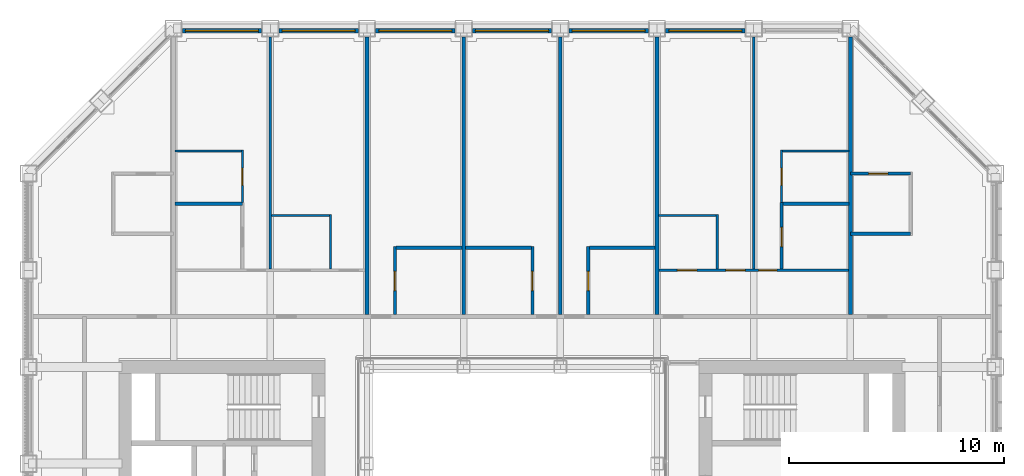
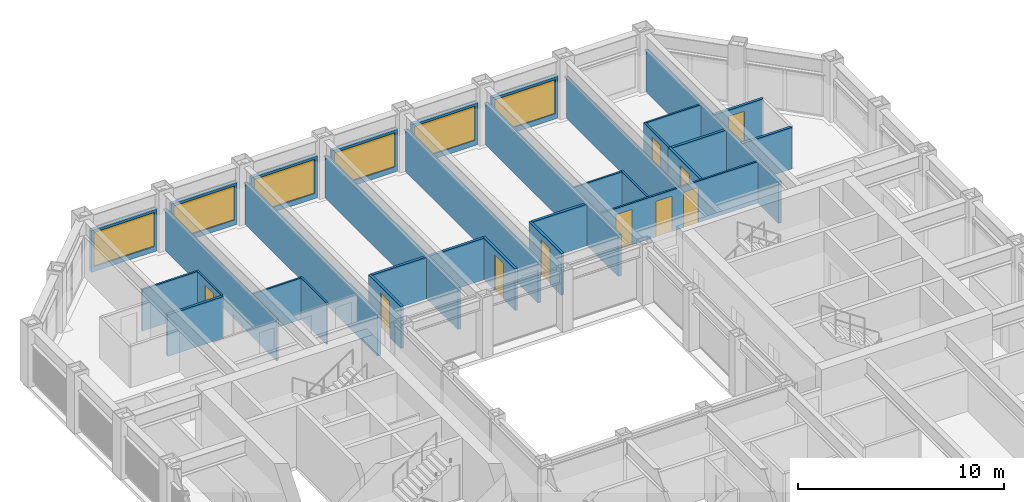
# One storey, part 14 of 18: 33 walls, 10 doors, 6 windows, 16 openings.
"""IFC4 building model written with IfcOpenShell, lengths in metres."""

from ifc_helpers import new_model, si_unit, direction, frame, frame_2d, origin, place, context, subcontext, project, spatial, rectangle, extrude, material, layer, layer_set, type_object, element, fill, save


model = new_model("IFC4")

# Units and contexts
model_context = context("Model", 3, precision=1e-05, world=origin(), true_north=direction((0.0, 1.0)))
body_context = subcontext(model_context, "Body", "Model", "MODEL_VIEW")
ifc_project = project(units=[si_unit("LENGTHUNIT", "METRE"), si_unit("AREAUNIT", "SQUARE_METRE"), si_unit("VOLUMEUNIT", "CUBIC_METRE"), si_unit("PLANEANGLEUNIT", "RADIAN"), si_unit("MASSUNIT", "GRAM", prefix="KILO")], contexts=[model_context])

# Site, building, storey
site_placement = place(None, origin())
site = spatial("IfcSite", under=ifc_project, at=site_placement, CompositionType="ELEMENT")
building_placement = place(site_placement, origin())
building = spatial("IfcBuilding", under=site, at=building_placement, Name="Msasa Ring Tower", CompositionType="ELEMENT")
storey_placement = place(building_placement, frame((0.0, 0.0, 183.199951171875)))
storey = spatial("IfcBuildingStorey", under=building, at=storey_placement, Name="L48", CompositionType="ELEMENT", Elevation=183.199951171875)

# Wall, opening, window
ifc_material_1 = material(Name="Terracotta rainscreen on blockwork", Category="masonry")
ifc_layer_1 = layer(ifc_material_1, 0.199951171875)
ifc_layer_set_1 = layer_set([ifc_layer_1], Name="FW1 TERRACOTTA-LINED INFILL BAY WALL 200")
wall_type_1 = type_object("IfcWallType", Name="FW1 TERRACOTTA-LINED INFILL BAY WALL 200", PredefinedType="SOLIDWALL", material=ifc_layer_set_1)
wall_1_placement = place(storey_placement, frame((-15.344970703125, 22.39990234375, 0.0), z_axis=(0.0, 0.0, 1.0), x_axis=(1.0, 0.0, 0.0)))
wall_1 = element("IfcWall", 1, at=wall_1_placement, inside=storey, type_object=wall_type_1, Name="Infill bay wall N L48 18", PredefinedType="SOLIDWALL", context=body_context, shape_type="SweptSolid", body=[
    extrude(rectangle(XDim=3.68994140625, YDim=0.199951171875, at=frame_2d((1.844970703125, 0.0))), origin(), (0.0, 0.0, 1.0), 2.47900390625),
])
opening_1_placement = place(wall_1_placement, frame((0.14501953125, 0.0, 0.300048828125)))
opening_1 = element("IfcOpeningElement", 2, at=opening_1_placement, cuts=wall_1, Name="Opening WN2", PredefinedType="OPENING", context=body_context, shape_type="SweptSolid", body=[
    extrude(rectangle(XDim=3.39990234375, YDim=2.029052734375, at=frame_2d((1.699951171875, 1.0146484375))), frame((0.0, 0.10986328125, 0.0), z_axis=(0.0, -1.0, 0.0), x_axis=(1.0, 0.0, 0.0)), (0.0, 0.0, 1.0), 0.219970703125),
])
ifc_material_2 = material(Name="Aluminium frame with clear glass", Category="aluminium")
window_type = type_object("IfcWindowType", Name="WN2 GUEST ROOM WINDOW 3400x2029", PartitioningType="SINGLE_PANEL", PredefinedType="WINDOW", material=ifc_material_2)
window_1_placement = place(opening_1_placement, origin())
window_1 = element("IfcWindow", 3, at=window_1_placement, inside=storey, type_object=window_type, Name="Window N L48 18", OverallHeight=2.029052734375, OverallWidth=3.39990234375, PartitioningType="SINGLE_PANEL", PredefinedType="WINDOW", context=body_context, shape_type="SweptSolid", body=[
    extrude(rectangle(XDim=3.39990234375, YDim=2.029052734375, at=frame_2d((1.699951171875, 1.0146484375))), frame((0.0, 0.030029296875, 0.0), z_axis=(0.0, -1.0, 0.0), x_axis=(1.0, 0.0, 0.0)), (0.0, 0.0, 1.0), 0.06005859375),
])
fill(opening_1, window_1)

wall_2_placement = place(storey_placement, frame((-10.844970703125, 22.39990234375, 0.0), z_axis=(0.0, 0.0, 1.0), x_axis=(1.0, 0.0, 0.0)))
wall_2 = element("IfcWall", 4, at=wall_2_placement, inside=storey, type_object=wall_type_1, Name="Infill bay wall N L48 19", PredefinedType="SOLIDWALL", context=body_context, shape_type="SweptSolid", body=[
    extrude(rectangle(XDim=3.68994140625, YDim=0.199951171875, at=frame_2d((1.844970703125, 0.0))), origin(), (0.0, 0.0, 1.0), 2.47900390625),
])
opening_2_placement = place(wall_2_placement, frame((0.14501953125, 0.0, 0.300048828125)))
opening_2 = element("IfcOpeningElement", 5, at=opening_2_placement, cuts=wall_2, Name="Opening WN2", PredefinedType="OPENING", context=body_context, shape_type="SweptSolid", body=[
    extrude(rectangle(XDim=3.39990234375, YDim=2.029052734375, at=frame_2d((1.699951171875, 1.0146484375))), frame((0.0, 0.10986328125, 0.0), z_axis=(0.0, -1.0, 0.0), x_axis=(1.0, 0.0, 0.0)), (0.0, 0.0, 1.0), 0.219970703125),
])
window_2_placement = place(opening_2_placement, origin())
window_2 = element("IfcWindow", 6, at=window_2_placement, inside=storey, type_object=window_type, Name="Window N L48 19", OverallHeight=2.029052734375, OverallWidth=3.39990234375, PartitioningType="SINGLE_PANEL", PredefinedType="WINDOW", context=body_context, shape_type="SweptSolid", body=[
    extrude(rectangle(XDim=3.39990234375, YDim=2.029052734375, at=frame_2d((1.699951171875, 1.0146484375))), frame((0.0, 0.030029296875, 0.0), z_axis=(0.0, -1.0, 0.0), x_axis=(1.0, 0.0, 0.0)), (0.0, 0.0, 1.0), 0.06005859375),
])
fill(opening_2, window_2)

wall_3_placement = place(storey_placement, frame((-6.344970703125, 22.39990234375, 0.0), z_axis=(0.0, 0.0, 1.0), x_axis=(1.0, 0.0, 0.0)))
wall_3 = element("IfcWall", 7, at=wall_3_placement, inside=storey, type_object=wall_type_1, Name="Infill bay wall N L48 20", PredefinedType="SOLIDWALL", context=body_context, shape_type="SweptSolid", body=[
    extrude(rectangle(XDim=3.68994140625, YDim=0.199951171875, at=frame_2d((1.844970703125, 0.0))), origin(), (0.0, 0.0, 1.0), 2.47900390625),
])
opening_3_placement = place(wall_3_placement, frame((0.14501953125, 0.0, 0.300048828125)))
opening_3 = element("IfcOpeningElement", 8, at=opening_3_placement, cuts=wall_3, Name="Opening WN2", PredefinedType="OPENING", context=body_context, shape_type="SweptSolid", body=[
    extrude(rectangle(XDim=3.39990234375, YDim=2.029052734375, at=frame_2d((1.699951171875, 1.0146484375))), frame((0.0, 0.10986328125, 0.0), z_axis=(0.0, -1.0, 0.0), x_axis=(1.0, 0.0, 0.0)), (0.0, 0.0, 1.0), 0.219970703125),
])
window_3_placement = place(opening_3_placement, origin())
window_3 = element("IfcWindow", 9, at=window_3_placement, inside=storey, type_object=window_type, Name="Window N L48 20", OverallHeight=2.029052734375, OverallWidth=3.39990234375, PartitioningType="SINGLE_PANEL", PredefinedType="WINDOW", context=body_context, shape_type="SweptSolid", body=[
    extrude(rectangle(XDim=3.39990234375, YDim=2.029052734375, at=frame_2d((1.699951171875, 1.0146484375))), frame((0.0, 0.030029296875, 0.0), z_axis=(0.0, -1.0, 0.0), x_axis=(1.0, 0.0, 0.0)), (0.0, 0.0, 1.0), 0.06005859375),
])
fill(opening_3, window_3)

wall_4_placement = place(storey_placement, frame((-1.844970703125, 22.39990234375, 0.0), z_axis=(0.0, 0.0, 1.0), x_axis=(1.0, 0.0, 0.0)))
wall_4 = element("IfcWall", 10, at=wall_4_placement, inside=storey, type_object=wall_type_1, Name="Infill bay wall N L48 21", PredefinedType="SOLIDWALL", context=body_context, shape_type="SweptSolid", body=[
    extrude(rectangle(XDim=3.68994140625, YDim=0.199951171875, at=frame_2d((1.844970703125, 0.0))), origin(), (0.0, 0.0, 1.0), 2.47900390625),
])
opening_4_placement = place(wall_4_placement, frame((0.14501953125, 0.0, 0.300048828125)))
opening_4 = element("IfcOpeningElement", 11, at=opening_4_placement, cuts=wall_4, Name="Opening WN2", PredefinedType="OPENING", context=body_context, shape_type="SweptSolid", body=[
    extrude(rectangle(XDim=3.39990234375, YDim=2.029052734375, at=frame_2d((1.699951171875, 1.0146484375))), frame((0.0, 0.10986328125, 0.0), z_axis=(0.0, -1.0, 0.0), x_axis=(1.0, 0.0, 0.0)), (0.0, 0.0, 1.0), 0.219970703125),
])
window_4_placement = place(opening_4_placement, origin())
window_4 = element("IfcWindow", 12, at=window_4_placement, inside=storey, type_object=window_type, Name="Window N L48 21", OverallHeight=2.029052734375, OverallWidth=3.39990234375, PartitioningType="SINGLE_PANEL", PredefinedType="WINDOW", context=body_context, shape_type="SweptSolid", body=[
    extrude(rectangle(XDim=3.39990234375, YDim=2.029052734375, at=frame_2d((1.699951171875, 1.0146484375))), frame((0.0, 0.030029296875, 0.0), z_axis=(0.0, -1.0, 0.0), x_axis=(1.0, 0.0, 0.0)), (0.0, 0.0, 1.0), 0.06005859375),
])
fill(opening_4, window_4)

wall_5_placement = place(storey_placement, frame((2.655029296875, 22.39990234375, 0.0), z_axis=(0.0, 0.0, 1.0), x_axis=(1.0, 0.0, 0.0)))
wall_5 = element("IfcWall", 13, at=wall_5_placement, inside=storey, type_object=wall_type_1, Name="Infill bay wall N L48 22", PredefinedType="SOLIDWALL", context=body_context, shape_type="SweptSolid", body=[
    extrude(rectangle(XDim=3.68994140625, YDim=0.199951171875, at=frame_2d((1.844970703125, 0.0))), origin(), (0.0, 0.0, 1.0), 2.47900390625),
])
opening_5_placement = place(wall_5_placement, frame((0.14501953125, 0.0, 0.300048828125)))
opening_5 = element("IfcOpeningElement", 14, at=opening_5_placement, cuts=wall_5, Name="Opening WN2", PredefinedType="OPENING", context=body_context, shape_type="SweptSolid", body=[
    extrude(rectangle(XDim=3.39990234375, YDim=2.029052734375, at=frame_2d((1.699951171875, 1.0146484375))), frame((0.0, 0.10986328125, 0.0), z_axis=(0.0, -1.0, 0.0), x_axis=(1.0, 0.0, 0.0)), (0.0, 0.0, 1.0), 0.219970703125),
])
window_5_placement = place(opening_5_placement, origin())
window_5 = element("IfcWindow", 15, at=window_5_placement, inside=storey, type_object=window_type, Name="Window N L48 22", OverallHeight=2.029052734375, OverallWidth=3.39990234375, PartitioningType="SINGLE_PANEL", PredefinedType="WINDOW", context=body_context, shape_type="SweptSolid", body=[
    extrude(rectangle(XDim=3.39990234375, YDim=2.029052734375, at=frame_2d((1.699951171875, 1.0146484375))), frame((0.0, 0.030029296875, 0.0), z_axis=(0.0, -1.0, 0.0), x_axis=(1.0, 0.0, 0.0)), (0.0, 0.0, 1.0), 0.06005859375),
])
fill(opening_5, window_5)

wall_6_placement = place(storey_placement, frame((7.155029296875, 22.39990234375, 0.0), z_axis=(0.0, 0.0, 1.0), x_axis=(1.0, 0.0, 0.0)))
wall_6 = element("IfcWall", 16, at=wall_6_placement, inside=storey, type_object=wall_type_1, Name="Infill bay wall N L48 23", PredefinedType="SOLIDWALL", context=body_context, shape_type="SweptSolid", body=[
    extrude(rectangle(XDim=3.68994140625, YDim=0.199951171875, at=frame_2d((1.844970703125, 0.0))), origin(), (0.0, 0.0, 1.0), 2.47900390625),
])
opening_6_placement = place(wall_6_placement, frame((0.14501953125, 0.0, 0.300048828125)))
opening_6 = element("IfcOpeningElement", 17, at=opening_6_placement, cuts=wall_6, Name="Opening WN2", PredefinedType="OPENING", context=body_context, shape_type="SweptSolid", body=[
    extrude(rectangle(XDim=3.39990234375, YDim=2.029052734375, at=frame_2d((1.699951171875, 1.0146484375))), frame((0.0, 0.10986328125, 0.0), z_axis=(0.0, -1.0, 0.0), x_axis=(1.0, 0.0, 0.0)), (0.0, 0.0, 1.0), 0.219970703125),
])
window_6_placement = place(opening_6_placement, origin())
window_6 = element("IfcWindow", 18, at=window_6_placement, inside=storey, type_object=window_type, Name="Window N L48 23", OverallHeight=2.029052734375, OverallWidth=3.39990234375, PartitioningType="SINGLE_PANEL", PredefinedType="WINDOW", context=body_context, shape_type="SweptSolid", body=[
    extrude(rectangle(XDim=3.39990234375, YDim=2.029052734375, at=frame_2d((1.699951171875, 1.0146484375))), frame((0.0, 0.030029296875, 0.0), z_axis=(0.0, -1.0, 0.0), x_axis=(1.0, 0.0, 0.0)), (0.0, 0.0, 1.0), 0.06005859375),
])
fill(opening_6, window_6)

# Walls
ifc_material_3 = material(Name="Gypsum board on steel studs", Category="steel")
ifc_layer_2 = layer(ifc_material_3, 0.10009765625)
ifc_layer_set_2 = layer_set([ifc_layer_2], Name="PT2 STUD PARTITION 100")
wall_type_2 = type_object("IfcWallType", Name="PT2 STUD PARTITION 100", PredefinedType="PARTITIONING", material=ifc_layer_set_2)
wall_7_placement = place(storey_placement, frame((-8.449951171875, 11.300048828125, 0.0), z_axis=(0.0, 0.0, 1.0), x_axis=(0.0, 1.0, 0.0)))
element("IfcWall", 19, at=wall_7_placement, inside=storey, type_object=wall_type_2, Name="Partition L48-GN00KX", PredefinedType="PARTITIONING", context=body_context, shape_type="SweptSolid", body=[
    extrude(rectangle(XDim=2.550048828125, YDim=0.10009765625, at=frame_2d((1.27490234375, 0.0))), origin(), (0.0, 0.0, 1.0), 2.473388671875),
])
wall_8_placement = place(storey_placement, frame((-11.199951171875, 13.800048828125, 0.0), z_axis=(0.0, 0.0, 1.0), x_axis=(1.0, 0.0, 0.0)))
element("IfcWall", 20, at=wall_8_placement, inside=storey, type_object=wall_type_2, Name="Partition L48-GN00KY", PredefinedType="PARTITIONING", context=body_context, shape_type="SweptSolid", body=[
    extrude(rectangle(XDim=2.75, YDim=0.10009765625, at=frame_2d((1.375, 0.0))), origin(), (0.0, 0.0, 1.0), 2.473388671875),
])
wall_9_placement = place(storey_placement, frame((-11.25, 11.300048828125, 0.0), z_axis=(0.0, 0.0, 1.0), x_axis=(0.0, 1.0, 0.0)))
element("IfcWall", 21, at=wall_9_placement, inside=storey, type_object=wall_type_2, Name="Partition L48-GN00P1", PredefinedType="PARTITIONING", context=body_context, shape_type="SweptSolid", body=[
    extrude(rectangle(XDim=10.800048828125, YDim=0.10009765625, at=frame_2d((5.39990234375, 0.0))), origin(), (0.0, 0.0, 1.0), 2.473388671875),
])

# Wall, opening, door
wall_10_placement = place(storey_placement, frame((-12.550048828125, 14.39990234375, 0.0), z_axis=(0.0, 0.0, 1.0), x_axis=(0.0, 1.0, 0.0)))
wall_10 = element("IfcWall", 22, at=wall_10_placement, inside=storey, type_object=wall_type_2, Name="Partition L48-GN00WX1", PredefinedType="PARTITIONING", context=body_context, shape_type="SweptSolid", body=[
    extrude(rectangle(XDim=2.4501953125, YDim=0.10009765625, at=frame_2d((1.22509765625, 0.0))), origin(), (0.0, 0.0, 1.0), 2.473388671875),
])
opening_7_placement = place(wall_10_placement, frame((0.800048828125, 0.0, 0.0)))
opening_7 = element("IfcOpeningElement", 23, at=opening_7_placement, cuts=wall_10, Name="Opening HG-003", PredefinedType="OPENING", context=body_context, shape_type="SweptSolid", body=[
    extrude(rectangle(XDim=0.800048828125, YDim=2.10009765625, at=frame_2d((0.39990234375, 1.050048828125))), frame((0.0, 0.06005859375, 0.0), z_axis=(0.0, -1.0, 0.0), x_axis=(1.0, 0.0, 0.0)), (0.0, 0.0, 1.0), 0.1201171875),
])
ifc_material_4 = material(Name="Timber door leaf in a steel frame", Category="steel")
door_type_1 = type_object("IfcDoorType", Name="D60 DRESSING ROOM DOOR 800x2100", OperationType="SINGLE_SWING_LEFT", PredefinedType="DOOR", material=ifc_material_4)
door_1_placement = place(opening_7_placement, origin())
door_1 = element("IfcDoor", 24, at=door_1_placement, inside=storey, type_object=door_type_1, Name="Door L48-GN00W1", OperationType="SINGLE_SWING_LEFT", OverallHeight=2.10009765625, OverallWidth=0.800048828125, PredefinedType="DOOR", context=body_context, shape_type="SweptSolid", body=[
    extrude(rectangle(XDim=0.800048828125, YDim=2.10009765625, at=frame_2d((0.39990234375, 1.050048828125))), frame((0.0, 0.02490234375, 0.0), z_axis=(0.0, -1.0, 0.0), x_axis=(1.0, 0.0, 0.0)), (0.0, 0.0, 1.0), 0.050048828125),
])
fill(opening_7, door_1)

# Wall
wall_11_placement = place(storey_placement, frame((-15.68994140625, 16.800048828125, 0.0), z_axis=(0.0, 0.0, 1.0), x_axis=(1.0, 0.0, 0.0)))
element("IfcWall", 25, at=wall_11_placement, inside=storey, type_object=wall_type_2, Name="Partition L48-GN00WY1", PredefinedType="PARTITIONING", context=body_context, shape_type="SweptSolid", body=[
    extrude(rectangle(XDim=3.139892578125, YDim=0.10009765625, at=frame_2d((1.56982421875, 0.0))), origin(), (0.0, 0.0, 1.0), 2.473388671875),
])

# Wall, openings, doors
wall_12_placement = place(storey_placement, frame((6.83740234375, 11.25, 0.0), z_axis=(0.0, 0.0, 1.0), x_axis=(1.0, 0.0, 0.0)))
wall_12 = element("IfcWall", 26, at=wall_12_placement, inside=storey, type_object=wall_type_2, Name="Partition L48-GN04HY", PredefinedType="PARTITIONING", context=body_context, shape_type="SweptSolid", body=[
    extrude(rectangle(XDim=8.8251953125, YDim=0.10009765625, at=frame_2d((4.41259765625, 0.0))), origin(), (0.0, 0.0, 1.0), 2.473388671875),
])
opening_8_placement = place(wall_12_placement, frame((0.862548828125, 0.0, 0.0)))
opening_8 = element("IfcOpeningElement", 27, at=opening_8_placement, cuts=wall_12, Name="Opening HG-010", PredefinedType="OPENING", context=body_context, shape_type="SweptSolid", body=[
    extrude(rectangle(XDim=0.89990234375, YDim=2.10009765625, at=frame_2d((0.449951171875, 1.050048828125))), frame((0.0, 0.06005859375, 0.0), z_axis=(0.0, -1.0, 0.0), x_axis=(1.0, 0.0, 0.0)), (0.0, 0.0, 1.0), 0.1201171875),
])
opening_9_placement = place(wall_12_placement, frame((3.112548828125, 0.0, 0.0)))
opening_9 = element("IfcOpeningElement", 28, at=opening_9_placement, cuts=wall_12, Name="Opening HG-011", PredefinedType="OPENING", context=body_context, shape_type="SweptSolid", body=[
    extrude(rectangle(XDim=0.89990234375, YDim=2.10009765625, at=frame_2d((0.449951171875, 1.050048828125))), frame((0.0, 0.06005859375, 0.0), z_axis=(0.0, -1.0, 0.0), x_axis=(1.0, 0.0, 0.0)), (0.0, 0.0, 1.0), 0.1201171875),
])
opening_10_placement = place(wall_12_placement, frame((4.637451171875, 0.0, 0.0)))
opening_10 = element("IfcOpeningElement", 29, at=opening_10_placement, cuts=wall_12, Name="Opening HG-012", PredefinedType="OPENING", context=body_context, shape_type="SweptSolid", body=[
    extrude(rectangle(XDim=0.85009765625, YDim=2.10009765625, at=frame_2d((0.425048828125, 1.050048828125))), frame((0.0, 0.06005859375, 0.0), z_axis=(0.0, -1.0, 0.0), x_axis=(1.0, 0.0, 0.0)), (0.0, 0.0, 1.0), 0.1201171875),
])
ifc_material_5 = material(Name="Timber door leaf in a steel frame", Category="steel")
door_type_2 = type_object("IfcDoorType", Name="D14 BEDROOM DOOR 850x2100", OperationType="SINGLE_SWING_LEFT", PredefinedType="DOOR", material=ifc_material_5)
door_2_placement = place(opening_10_placement, origin())
door_2 = element("IfcDoor", 30, at=door_2_placement, inside=storey, type_object=door_type_2, Name="Door L48-GN04R1", OperationType="SINGLE_SWING_RIGHT", OverallHeight=2.10009765625, OverallWidth=0.85009765625, PredefinedType="DOOR", context=body_context, shape_type="SweptSolid", body=[
    extrude(rectangle(XDim=0.85009765625, YDim=2.10009765625, at=frame_2d((0.425048828125, 1.050048828125))), frame((0.0, 0.02490234375, 0.0), z_axis=(0.0, -1.0, 0.0), x_axis=(1.0, 0.0, 0.0)), (0.0, 0.0, 1.0), 0.050048828125),
])
fill(opening_10, door_2)
ifc_material_6 = material(Name="Timber door leaf in a steel frame", Category="steel")
door_type_3 = type_object("IfcDoorType", Name="D22 INTERNAL HALL DOOR 900x2100", OperationType="SINGLE_SWING_LEFT", PredefinedType="DOOR", material=ifc_material_6)
door_3_placement = place(opening_8_placement, origin())
door_3 = element("IfcDoor", 31, at=door_3_placement, inside=storey, type_object=door_type_3, Name="Door L48-GN04K", OperationType="SINGLE_SWING_LEFT", OverallHeight=2.10009765625, OverallWidth=0.89990234375, PredefinedType="DOOR", context=body_context, shape_type="SweptSolid", body=[
    extrude(rectangle(XDim=0.89990234375, YDim=2.10009765625, at=frame_2d((0.449951171875, 1.050048828125))), frame((0.0, 0.02490234375, 0.0), z_axis=(0.0, -1.0, 0.0), x_axis=(1.0, 0.0, 0.0)), (0.0, 0.0, 1.0), 0.050048828125),
])
fill(opening_8, door_3)
door_4_placement = place(opening_9_placement, origin())
door_4 = element("IfcDoor", 32, at=door_4_placement, inside=storey, type_object=door_type_3, Name="Door L48-GN04L", OperationType="SINGLE_SWING_LEFT", OverallHeight=2.10009765625, OverallWidth=0.89990234375, PredefinedType="DOOR", context=body_context, shape_type="SweptSolid", body=[
    extrude(rectangle(XDim=0.89990234375, YDim=2.10009765625, at=frame_2d((0.449951171875, 1.050048828125))), frame((0.0, 0.02490234375, 0.0), z_axis=(0.0, -1.0, 0.0), x_axis=(1.0, 0.0, 0.0)), (0.0, 0.0, 1.0), 0.050048828125),
])
fill(opening_9, door_4)

# Walls
wall_13_placement = place(storey_placement, frame((9.550048828125, 11.300048828125, 0.0), z_axis=(0.0, 0.0, 1.0), x_axis=(0.0, 1.0, 0.0)))
element("IfcWall", 33, at=wall_13_placement, inside=storey, type_object=wall_type_2, Name="Partition L48-GN04KX", PredefinedType="PARTITIONING", context=body_context, shape_type="SweptSolid", body=[
    extrude(rectangle(XDim=2.550048828125, YDim=0.10009765625, at=frame_2d((1.27490234375, 0.0))), origin(), (0.0, 0.0, 1.0), 2.473388671875),
])
wall_14_placement = place(storey_placement, frame((6.81005859375, 13.800048828125, 0.0), z_axis=(0.0, 0.0, 1.0), x_axis=(1.0, 0.0, 0.0)))
element("IfcWall", 34, at=wall_14_placement, inside=storey, type_object=wall_type_2, Name="Partition L48-GN04KY", PredefinedType="PARTITIONING", context=body_context, shape_type="SweptSolid", body=[
    extrude(rectangle(XDim=2.739990234375, YDim=0.10009765625, at=frame_2d((1.3701171875, 0.0))), origin(), (0.0, 0.0, 1.0), 2.473388671875),
])
wall_15_placement = place(storey_placement, frame((11.25, 11.300048828125, 0.0), z_axis=(0.0, 0.0, 1.0), x_axis=(0.0, 1.0, 0.0)))
element("IfcWall", 35, at=wall_15_placement, inside=storey, type_object=wall_type_2, Name="Partition L48-GN04P1", PredefinedType="PARTITIONING", context=body_context, shape_type="SweptSolid", body=[
    extrude(rectangle(XDim=10.800048828125, YDim=0.10009765625, at=frame_2d((5.39990234375, 0.0))), origin(), (0.0, 0.0, 1.0), 2.473388671875),
])

# Wall, opening, door
wall_16_placement = place(storey_placement, frame((12.550048828125, 14.39990234375, 0.0), z_axis=(0.0, 0.0, 1.0), x_axis=(0.0, 1.0, 0.0)))
wall_16 = element("IfcWall", 36, at=wall_16_placement, inside=storey, type_object=wall_type_2, Name="Partition L48-GN04WX1", PredefinedType="PARTITIONING", context=body_context, shape_type="SweptSolid", body=[
    extrude(rectangle(XDim=2.4501953125, YDim=0.10009765625, at=frame_2d((1.22509765625, 0.0))), origin(), (0.0, 0.0, 1.0), 2.473388671875),
])
opening_11_placement = place(wall_16_placement, frame((0.800048828125, 0.0, 0.0)))
opening_11 = element("IfcOpeningElement", 37, at=opening_11_placement, cuts=wall_16, Name="Opening HG-004", PredefinedType="OPENING", context=body_context, shape_type="SweptSolid", body=[
    extrude(rectangle(XDim=0.800048828125, YDim=2.10009765625, at=frame_2d((0.39990234375, 1.050048828125))), frame((0.0, 0.06005859375, 0.0), z_axis=(0.0, -1.0, 0.0), x_axis=(1.0, 0.0, 0.0)), (0.0, 0.0, 1.0), 0.1201171875),
])
door_5_placement = place(opening_11_placement, origin())
door_5 = element("IfcDoor", 38, at=door_5_placement, inside=storey, type_object=door_type_1, Name="Door L48-GN04W1", OperationType="SINGLE_SWING_LEFT", OverallHeight=2.10009765625, OverallWidth=0.800048828125, PredefinedType="DOOR", context=body_context, shape_type="SweptSolid", body=[
    extrude(rectangle(XDim=0.800048828125, YDim=2.10009765625, at=frame_2d((0.39990234375, 1.050048828125))), frame((0.0, 0.02490234375, 0.0), z_axis=(0.0, -1.0, 0.0), x_axis=(1.0, 0.0, 0.0)), (0.0, 0.0, 1.0), 0.050048828125),
])
fill(opening_11, door_5)

# Walls
wall_17_placement = place(storey_placement, frame((12.550048828125, 16.800048828125, 0.0), z_axis=(0.0, 0.0, 1.0), x_axis=(1.0, 0.0, 0.0)))
element("IfcWall", 39, at=wall_17_placement, inside=storey, type_object=wall_type_2, Name="Partition L48-GN04WY1", PredefinedType="PARTITIONING", context=body_context, shape_type="SweptSolid", body=[
    extrude(rectangle(XDim=3.139892578125, YDim=0.10009765625, at=frame_2d((1.56982421875, 0.0))), origin(), (0.0, 0.0, 1.0), 2.473388671875),
])
ifc_material_7 = material(Name="Moisture-resistant board on steel studs with a concealed cistern and pipe void, tiled", Category="steel")
ifc_layer_3 = layer(ifc_material_7, 0.14990234375)
ifc_layer_set_3 = layer_set([ifc_layer_3], Name="PT4 BATHROOM WET WALL 150")
wall_type_3 = type_object("IfcWallType", Name="PT4 BATHROOM WET WALL 150", PredefinedType="PARTITIONING", material=ifc_layer_set_3)
wall_18_placement = place(storey_placement, frame((-15.68994140625, 14.35009765625, 0.0), z_axis=(0.0, 0.0, 1.0), x_axis=(1.0, 0.0, 0.0)))
element("IfcWall", 40, at=wall_18_placement, inside=storey, type_object=wall_type_3, Name="Partition L48-GN00BY1", PredefinedType="PARTITIONING", context=body_context, shape_type="SweptSolid", body=[
    extrude(rectangle(XDim=3.139892578125, YDim=0.14990234375, at=frame_2d((1.56982421875, 0.0))), origin(), (0.0, 0.0, 1.0), 2.473388671875),
])

# Wall, opening, door
wall_19_placement = place(storey_placement, frame((-5.449951171875, 9.199951171875, 0.0), z_axis=(0.0, 0.0, 1.0), x_axis=(0.0, 1.0, 0.0)))
wall_19 = element("IfcWall", 41, at=wall_19_placement, inside=storey, type_object=wall_type_3, Name="Partition L48-GN01BX", PredefinedType="PARTITIONING", context=body_context, shape_type="SweptSolid", body=[
    extrude(rectangle(XDim=3.150146484375, YDim=0.14990234375, at=frame_2d((1.5751953125, 0.0))), origin(), (0.0, 0.0, 1.0), 2.473388671875),
])
opening_12_placement = place(wall_19_placement, frame((1.10009765625, 0.0, 0.0)))
opening_12 = element("IfcOpeningElement", 42, at=opening_12_placement, cuts=wall_19, Name="Opening HG-013", PredefinedType="OPENING", context=body_context, shape_type="SweptSolid", body=[
    extrude(rectangle(XDim=0.89990234375, YDim=2.10009765625, at=frame_2d((0.449951171875, 1.050048828125))), frame((0.0, 0.0849609375, 0.0), z_axis=(0.0, -1.0, 0.0), x_axis=(1.0, 0.0, 0.0)), (0.0, 0.0, 1.0), 0.169921875),
])
ifc_material_8 = material(Name="Timber door leaf in a steel frame", Category="steel")
door_type_4 = type_object("IfcDoorType", Name="D3 BATHROOM DOOR 900x2100", OperationType="SINGLE_SWING_LEFT", PredefinedType="DOOR", material=ifc_material_8)
door_6_placement = place(opening_12_placement, origin())
door_6 = element("IfcDoor", 43, at=door_6_placement, inside=storey, type_object=door_type_4, Name="Door L48-GN01B", OperationType="SINGLE_SWING_LEFT", OverallHeight=2.10009765625, OverallWidth=0.89990234375, PredefinedType="DOOR", context=body_context, shape_type="SweptSolid", body=[
    extrude(rectangle(XDim=0.89990234375, YDim=2.10009765625, at=frame_2d((0.449951171875, 1.050048828125))), frame((0.0, 0.02490234375, 0.0), z_axis=(0.0, -1.0, 0.0), x_axis=(1.0, 0.0, 0.0)), (0.0, 0.0, 1.0), 0.050048828125),
])
fill(opening_12, door_6)

# Wall
wall_20_placement = place(storey_placement, frame((-5.39990234375, 12.300048828125, 0.0), z_axis=(0.0, 0.0, 1.0), x_axis=(1.0, 0.0, 0.0)))
element("IfcWall", 44, at=wall_20_placement, inside=storey, type_object=wall_type_3, Name="Partition L48-GN01BY", PredefinedType="PARTITIONING", context=body_context, shape_type="SweptSolid", body=[
    extrude(rectangle(XDim=3.0625, YDim=0.14990234375, at=frame_2d((1.53125, 0.0))), origin(), (0.0, 0.0, 1.0), 2.473388671875),
])

# Wall, opening, door
wall_21_placement = place(storey_placement, frame((0.949951171875, 9.199951171875, 0.0), z_axis=(0.0, 0.0, 1.0), x_axis=(0.0, 1.0, 0.0)))
wall_21 = element("IfcWall", 45, at=wall_21_placement, inside=storey, type_object=wall_type_3, Name="Partition L48-GN02BX", PredefinedType="PARTITIONING", context=body_context, shape_type="SweptSolid", body=[
    extrude(rectangle(XDim=3.150146484375, YDim=0.14990234375, at=frame_2d((1.5751953125, 0.0))), origin(), (0.0, 0.0, 1.0), 2.473388671875),
])
opening_13_placement = place(wall_21_placement, frame((1.10009765625, 0.0, 0.0)))
opening_13 = element("IfcOpeningElement", 46, at=opening_13_placement, cuts=wall_21, Name="Opening HG-014", PredefinedType="OPENING", context=body_context, shape_type="SweptSolid", body=[
    extrude(rectangle(XDim=0.89990234375, YDim=2.10009765625, at=frame_2d((0.449951171875, 1.050048828125))), frame((0.0, 0.0849609375, 0.0), z_axis=(0.0, -1.0, 0.0), x_axis=(1.0, 0.0, 0.0)), (0.0, 0.0, 1.0), 0.169921875),
])
door_7_placement = place(opening_13_placement, origin())
door_7 = element("IfcDoor", 47, at=door_7_placement, inside=storey, type_object=door_type_4, Name="Door L48-GN02B", OperationType="SINGLE_SWING_LEFT", OverallHeight=2.10009765625, OverallWidth=0.89990234375, PredefinedType="DOOR", context=body_context, shape_type="SweptSolid", body=[
    extrude(rectangle(XDim=0.89990234375, YDim=2.10009765625, at=frame_2d((0.449951171875, 1.050048828125))), frame((0.0, 0.02490234375, 0.0), z_axis=(0.0, -1.0, 0.0), x_axis=(1.0, 0.0, 0.0)), (0.0, 0.0, 1.0), 0.050048828125),
])
fill(opening_13, door_7)

# Wall
wall_22_placement = place(storey_placement, frame((-2.16259765625, 12.300048828125, 0.0), z_axis=(0.0, 0.0, 1.0), x_axis=(1.0, 0.0, 0.0)))
element("IfcWall", 48, at=wall_22_placement, inside=storey, type_object=wall_type_3, Name="Partition L48-GN02BY", PredefinedType="PARTITIONING", context=body_context, shape_type="SweptSolid", body=[
    extrude(rectangle(XDim=3.0625, YDim=0.14990234375, at=frame_2d((1.53125, 0.0))), origin(), (0.0, 0.0, 1.0), 2.473388671875),
])

# Wall, opening, door
wall_23_placement = place(storey_placement, frame((3.550048828125, 9.199951171875, 0.0), z_axis=(0.0, 0.0, 1.0), x_axis=(0.0, 1.0, 0.0)))
wall_23 = element("IfcWall", 49, at=wall_23_placement, inside=storey, type_object=wall_type_3, Name="Partition L48-GN03BX", PredefinedType="PARTITIONING", context=body_context, shape_type="SweptSolid", body=[
    extrude(rectangle(XDim=3.150146484375, YDim=0.14990234375, at=frame_2d((1.5751953125, 0.0))), origin(), (0.0, 0.0, 1.0), 2.473388671875),
])
opening_14_placement = place(wall_23_placement, frame((1.10009765625, 0.0, 0.0)))
opening_14 = element("IfcOpeningElement", 50, at=opening_14_placement, cuts=wall_23, Name="Opening HG-015", PredefinedType="OPENING", context=body_context, shape_type="SweptSolid", body=[
    extrude(rectangle(XDim=0.89990234375, YDim=2.10009765625, at=frame_2d((0.449951171875, 1.050048828125))), frame((0.0, 0.0849609375, 0.0), z_axis=(0.0, -1.0, 0.0), x_axis=(1.0, 0.0, 0.0)), (0.0, 0.0, 1.0), 0.169921875),
])
door_8_placement = place(opening_14_placement, origin())
door_8 = element("IfcDoor", 51, at=door_8_placement, inside=storey, type_object=door_type_4, Name="Door L48-GN03B", OperationType="SINGLE_SWING_LEFT", OverallHeight=2.10009765625, OverallWidth=0.89990234375, PredefinedType="DOOR", context=body_context, shape_type="SweptSolid", body=[
    extrude(rectangle(XDim=0.89990234375, YDim=2.10009765625, at=frame_2d((0.449951171875, 1.050048828125))), frame((0.0, 0.02490234375, 0.0), z_axis=(0.0, -1.0, 0.0), x_axis=(1.0, 0.0, 0.0)), (0.0, 0.0, 1.0), 0.050048828125),
])
fill(opening_14, door_8)

# Wall
wall_24_placement = place(storey_placement, frame((3.60009765625, 12.300048828125, 0.0), z_axis=(0.0, 0.0, 1.0), x_axis=(1.0, 0.0, 0.0)))
element("IfcWall", 52, at=wall_24_placement, inside=storey, type_object=wall_type_3, Name="Partition L48-GN03BY", PredefinedType="PARTITIONING", context=body_context, shape_type="SweptSolid", body=[
    extrude(rectangle(XDim=3.0625, YDim=0.14990234375, at=frame_2d((1.53125, 0.0))), origin(), (0.0, 0.0, 1.0), 2.473388671875),
])

# Wall, opening, door
wall_25_placement = place(storey_placement, frame((12.550048828125, 11.300048828125, 0.0), z_axis=(0.0, 0.0, 1.0), x_axis=(0.0, 1.0, 0.0)))
wall_25 = element("IfcWall", 53, at=wall_25_placement, inside=storey, type_object=wall_type_3, Name="Partition L48-GN04BX1", PredefinedType="PARTITIONING", context=body_context, shape_type="SweptSolid", body=[
    extrude(rectangle(XDim=3.099853515625, YDim=0.14990234375, at=frame_2d((1.5498046875, 0.0))), origin(), (0.0, 0.0, 1.0), 2.473388671875),
])
opening_15_placement = place(wall_25_placement, frame((1.050048828125, 0.0, 0.0)))
opening_15 = element("IfcOpeningElement", 54, at=opening_15_placement, cuts=wall_25, Name="Opening HG-006", PredefinedType="OPENING", context=body_context, shape_type="SweptSolid", body=[
    extrude(rectangle(XDim=0.89990234375, YDim=2.10009765625, at=frame_2d((0.449951171875, 1.050048828125))), frame((0.0, 0.0849609375, 0.0), z_axis=(0.0, -1.0, 0.0), x_axis=(1.0, 0.0, 0.0)), (0.0, 0.0, 1.0), 0.169921875),
])
door_9_placement = place(opening_15_placement, origin())
door_9 = element("IfcDoor", 55, at=door_9_placement, inside=storey, type_object=door_type_4, Name="Door L48-GN04B1", OperationType="SINGLE_SWING_LEFT", OverallHeight=2.10009765625, OverallWidth=0.89990234375, PredefinedType="DOOR", context=body_context, shape_type="SweptSolid", body=[
    extrude(rectangle(XDim=0.89990234375, YDim=2.10009765625, at=frame_2d((0.449951171875, 1.050048828125))), frame((0.0, 0.02490234375, 0.0), z_axis=(0.0, -1.0, 0.0), x_axis=(1.0, 0.0, 0.0)), (0.0, 0.0, 1.0), 0.050048828125),
])
fill(opening_15, door_9)

# Walls
wall_26_placement = place(storey_placement, frame((12.550048828125, 14.35009765625, 0.0), z_axis=(0.0, 0.0, 1.0), x_axis=(1.0, 0.0, 0.0)))
element("IfcWall", 56, at=wall_26_placement, inside=storey, type_object=wall_type_3, Name="Partition L48-GN04BY1", PredefinedType="PARTITIONING", context=body_context, shape_type="SweptSolid", body=[
    extrude(rectangle(XDim=3.139892578125, YDim=0.14990234375, at=frame_2d((1.56982421875, 0.0))), origin(), (0.0, 0.0, 1.0), 2.473388671875),
])
wall_27_placement = place(storey_placement, frame((15.75, 12.949951171875, 0.0), z_axis=(0.0, 0.0, 1.0), x_axis=(1.0, 0.0, 0.0)))
element("IfcWall", 57, at=wall_27_placement, inside=storey, type_object=wall_type_3, Name="Partition L48-CSNEBY", PredefinedType="PARTITIONING", context=body_context, shape_type="SweptSolid", body=[
    extrude(rectangle(XDim=2.800048828125, YDim=0.14990234375, at=frame_2d((1.39990234375, 0.0))), origin(), (0.0, 0.0, 1.0), 2.473388671875),
])

# Wall, opening, door
wall_28_placement = place(storey_placement, frame((15.75, 15.75, 0.0), z_axis=(0.0, 0.0, 1.0), x_axis=(1.0, 0.0, 0.0)))
wall_28 = element("IfcWall", 58, at=wall_28_placement, inside=storey, type_object=wall_type_3, Name="Partition L48-CSNEBZ", PredefinedType="PARTITIONING", context=body_context, shape_type="SweptSolid", body=[
    extrude(rectangle(XDim=2.800048828125, YDim=0.14990234375, at=frame_2d((1.39990234375, 0.0))), origin(), (0.0, 0.0, 1.0), 2.473388671875),
])
opening_16_placement = place(wall_28_placement, frame((0.85009765625, 0.0, 0.0)))
opening_16 = element("IfcOpeningElement", 59, at=opening_16_placement, cuts=wall_28, Name="Opening HG-002", PredefinedType="OPENING", context=body_context, shape_type="SweptSolid", body=[
    extrude(rectangle(XDim=0.89990234375, YDim=2.10009765625, at=frame_2d((0.449951171875, 1.050048828125))), frame((0.0, 0.0849609375, 0.0), z_axis=(0.0, -1.0, 0.0), x_axis=(1.0, 0.0, 0.0)), (0.0, 0.0, 1.0), 0.169921875),
])
door_10_placement = place(opening_16_placement, origin())
door_10 = element("IfcDoor", 60, at=door_10_placement, inside=storey, type_object=door_type_4, Name="Door L48-CSNEB1", OperationType="SINGLE_SWING_LEFT", OverallHeight=2.10009765625, OverallWidth=0.89990234375, PredefinedType="DOOR", context=body_context, shape_type="SweptSolid", body=[
    extrude(rectangle(XDim=0.89990234375, YDim=2.10009765625, at=frame_2d((0.449951171875, 1.050048828125))), frame((0.0, 0.02490234375, 0.0), z_axis=(0.0, -1.0, 0.0), x_axis=(1.0, 0.0, 0.0)), (0.0, 0.0, 1.0), 0.050048828125),
])
fill(opening_16, door_10)

# Walls
ifc_material_9 = material(Name="Twin steel studs, two layers of acoustic board each face, mineral wool", Category="steel")
ifc_layer_4 = layer(ifc_material_9, 0.175048828125)
ifc_layer_set_4 = layer_set([ifc_layer_4], Name="PT5 GUEST ROOM SEPARATING WALL 175")
wall_type_4 = type_object("IfcWallType", Name="PT5 GUEST ROOM SEPARATING WALL 175", PredefinedType="PARTITIONING", material=ifc_layer_set_4)
for number, where, z_axis, x_axis, name in (
    (61, (-6.75, 9.199951171875, 0.0), (0.0, 0.0, 1.0), (0.0, 1.0, 0.0), "Partition L48-PWN-6.75"),
    (62, (-2.25, 9.199951171875, 0.0), (0.0, 0.0, 1.0), (0.0, 1.0, 0.0), "Partition L48-PWN-2.25"),
    (63, (2.25, 9.199951171875, 0.0), (0.0, 0.0, 1.0), (0.0, 1.0, 0.0), "Partition L48-PWN+2.25"),
    (64, (6.75, 9.199951171875, 0.0), (0.0, 0.0, 1.0), (0.0, 1.0, 0.0), "Partition L48-PWN+6.75"),
    (65, (15.75, 9.199951171875, 0.0), (0.0, 0.0, 1.0), (0.0, 1.0, 0.0), "Partition L48-PWN+15.75"),
):
    element("IfcWall", number, at=place(storey_placement, frame(where, z_axis=z_axis, x_axis=x_axis)), inside=storey, type_object=wall_type_4, Name=name, PredefinedType="PARTITIONING", context=body_context, shape_type="SweptSolid", body=[
        extrude(rectangle(XDim=12.900146484375, YDim=0.175048828125, at=frame_2d((6.4501953125, 0.0))), origin(), (0.0, 0.0, 1.0), 2.473388671875),
    ])

save(model, "model.ifc")
